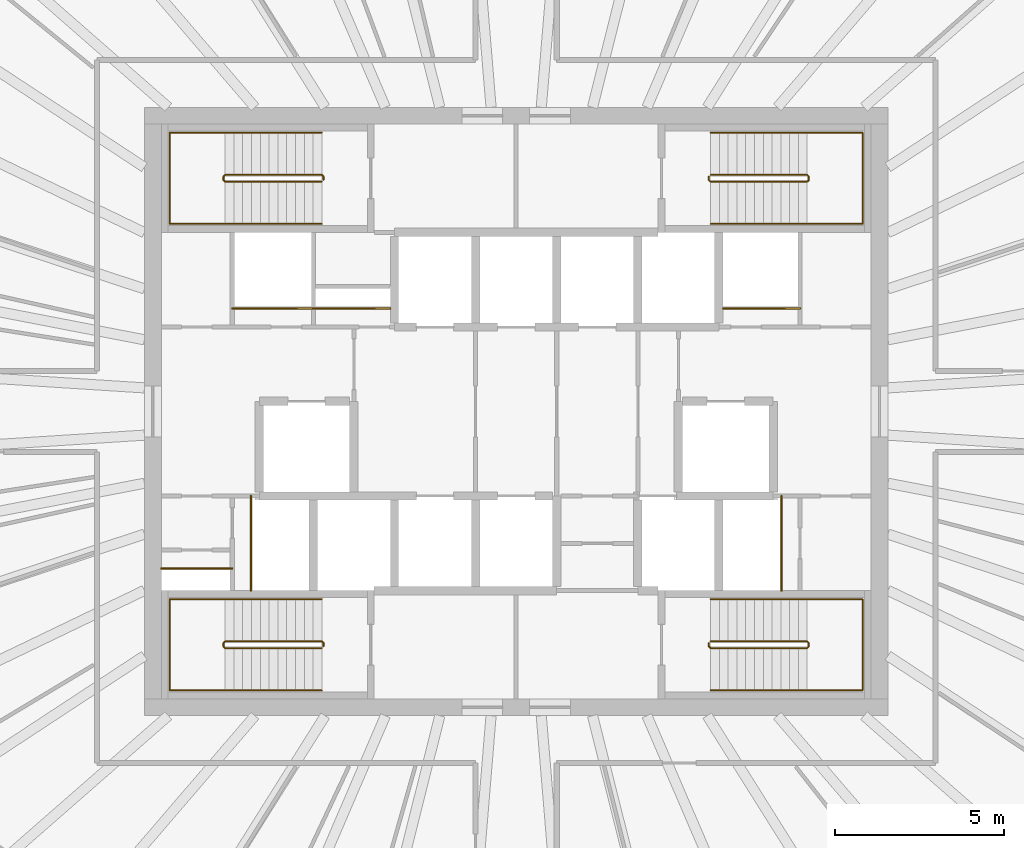
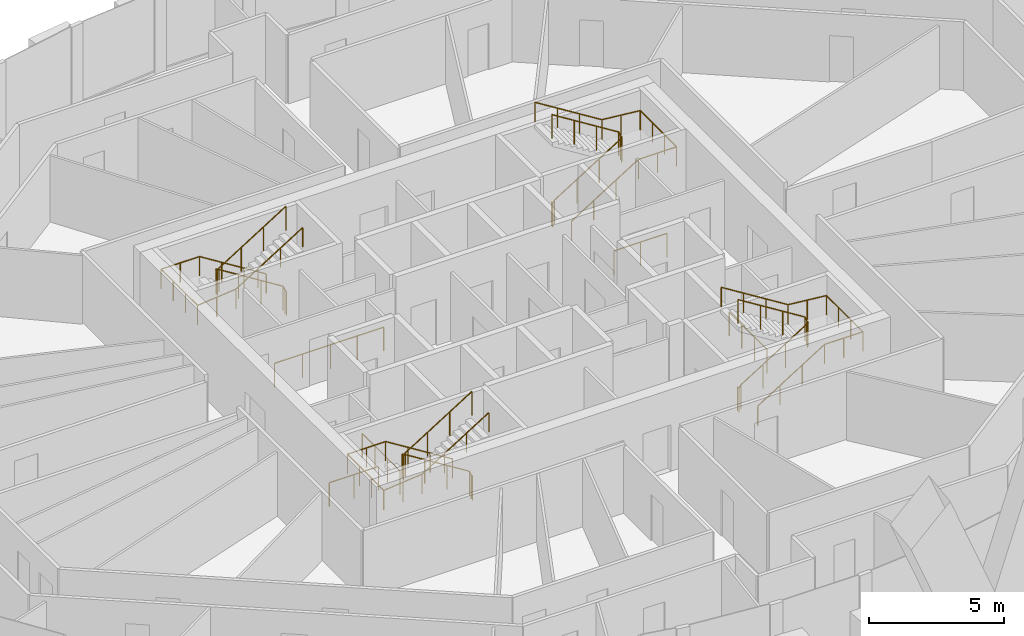
# One storey, part 14 of 14: 14 railings.
"""IFC4 building model written with IfcOpenShell, lengths in metres."""

from ifc_helpers import new_model, si_unit, direction, frame, origin, origin_2d, place, context, subcontext, project, spatial, circle, extrude, source, transform, mapped, material, type_object, element, save


model = new_model("IFC4")

# Units and contexts
model_context = context("Model", 3, precision=1e-05, world=origin(), true_north=direction((0.0, 1.0)))
body_context = subcontext(model_context, "Body", "Model", "MODEL_VIEW")
ifc_project = project(units=[si_unit("LENGTHUNIT", "METRE"), si_unit("AREAUNIT", "SQUARE_METRE"), si_unit("VOLUMEUNIT", "CUBIC_METRE"), si_unit("PLANEANGLEUNIT", "RADIAN"), si_unit("MASSUNIT", "GRAM", prefix="KILO")], contexts=[model_context])

# Site, building, storey
site_placement = place(None, origin())
site = spatial("IfcSite", under=ifc_project, at=site_placement, CompositionType="ELEMENT")
building_placement = place(site_placement, origin())
building = spatial("IfcBuilding", under=site, at=building_placement, Name="Embergate Tower", CompositionType="ELEMENT")
storey_placement = place(building_placement, frame((0.0, 0.0, 297.39990234375)))
storey = spatial("IfcBuildingStorey", under=building, at=storey_placement, Name="L69", CompositionType="ELEMENT", Elevation=297.39990234375)

# Railings
ifc_material_1 = material(Name="Stair guard 1100")
railing_type_1 = type_object("IfcRailingType", Name="Stair guard 1100", PredefinedType="GUARDRAIL", material=ifc_material_1)
shared_shape_1 = source(origin(), body_context, "Body", "SweptSolid", [
    extrude(circle(Radius=0.02392578125, at=origin_2d()), frame((0.0, 0.0, 1.076171875), z_axis=(0.0, 1.0, 0.0), x_axis=(-1.0, 0.0, 0.0)), (0.0, 0.0, 1.0), 0.099853515625),
    extrude(circle(Radius=0.02392578125, at=origin_2d()), frame((0.0, 0.099853515625, 1.076171875), z_axis=(-0.282227285176, 0.282227285176, 0.916894497205), x_axis=(-0.707106781187, -0.707106781187, 0.0)), (0.0, 0.0, 1.0), 0.17724609375),
    extrude(circle(Radius=0.02392578125, at=origin_2d()), frame((-0.050048828125, 0.14990234375, 1.23876953125), z_axis=(-0.847994237388, 0.0, 0.530005446535), x_axis=(0.0, -1.0, 0.0)), (0.0, 0.0, 1.0), 3.372802734375),
    extrude(circle(Radius=0.02392578125, at=origin_2d()), frame((-2.91015625, 0.14990234375, 3.0263671875), z_axis=(-0.705375805398, -0.708833529934, 0.0), x_axis=(0.708833529934, -0.705375805398, 0.0)), (0.0, 0.0, 1.0), 0.070556640625),
    extrude(circle(Radius=0.02392578125, at=origin_2d()), frame((-2.9599609375, 0.099853515625, 3.0263671875), z_axis=(0.0, -1.0, 0.0), x_axis=(1.0, 0.0, 0.0)), (0.0, 0.0, 1.0), 0.099853515625),
    extrude(circle(Radius=0.02392578125, at=origin_2d()), frame((-2.9599609375, 0.0, 3.0263671875), z_axis=(0.281314826061, -0.282693820306, 0.917031173188), x_axis=(0.708833529934, 0.705375805398, 0.0)), (0.0, 0.0, 1.0), 0.177001953125),
    extrude(circle(Radius=0.02392578125, at=origin_2d()), frame((-2.91015625, -0.050048828125, 3.1884765625), z_axis=(0.847994237388, 0.0, 0.530005446535), x_axis=(0.0, 1.0, 0.0)), (0.0, 0.0, 1.0), 3.372802734375),
    extrude(circle(Radius=0.02099609375, at=origin_2d()), origin(), (0.0, 0.0, 1.0), 1.052001953125),
    extrude(circle(Radius=0.02099609375, at=origin_2d()), frame((0.0, 0.099853515625, 0.0)), (0.0, 0.0, 1.0), 1.052001953125),
    extrude(circle(Radius=0.02099609375, at=origin_2d()), frame((-0.050048828125, 0.14990234375, 0.16259765625)), (0.0, 0.0, 1.0), 1.052001953125),
    extrude(circle(Radius=0.02099609375, at=origin_2d()), frame((-1.00341796875, 0.14990234375, 0.758544921875)), (0.0, 0.0, 1.0), 1.052001953125),
    extrude(circle(Radius=0.02099609375, at=origin_2d()), frame((-1.956787109375, 0.14990234375, 1.354248046875)), (0.0, 0.0, 1.0), 1.052001953125),
    extrude(circle(Radius=0.02099609375, at=origin_2d()), frame((-2.91015625, 0.14990234375, 1.9501953125)), (0.0, 0.0, 1.0), 1.052001953125),
    extrude(circle(Radius=0.02099609375, at=origin_2d()), frame((-2.9599609375, 0.099853515625, 1.9501953125)), (0.0, 0.0, 1.0), 1.052001953125),
    extrude(circle(Radius=0.02099609375, at=origin_2d()), frame((-2.9599609375, 0.0, 1.9501953125)), (0.0, 0.0, 1.0), 1.052001953125),
    extrude(circle(Radius=0.02099609375, at=origin_2d()), frame((-2.91015625, -0.050048828125, 2.112548828125)), (0.0, 0.0, 1.0), 1.052001953125),
    extrude(circle(Radius=0.02099609375, at=origin_2d()), frame((-1.956787109375, -0.050048828125, 2.70849609375)), (0.0, 0.0, 1.0), 1.052001953125),
    extrude(circle(Radius=0.02099609375, at=origin_2d()), frame((-1.00341796875, -0.050048828125, 3.30419921875)), (0.0, 0.0, 1.0), 1.052001953125),
    extrude(circle(Radius=0.02099609375, at=origin_2d()), frame((-0.050048828125, -0.050048828125, 3.900146484375)), (0.0, 0.0, 1.0), 1.052001953125),
])
for number, where, name in (
    (1, (-5.699951171875, 6.85009765625, 0.0), "L69 ST1 stair guard 1"),
    (2, (-5.699951171875, -6.949951171875, 0.0), "L69 ST3 stair guard 1"),
):
    element("IfcRailing", number, at=place(storey_placement, frame(where)), inside=storey, type_object=railing_type_1, Name=name, PredefinedType="GUARDRAIL", context=body_context, shape_type="MappedRepresentation", body=[
        mapped(shared_shape_1, transform((0.0, 0.0, 0.0))),
    ])
ifc_material_2 = material(Name="Stair handrail 900")
railing_type_2 = type_object("IfcRailingType", Name="Stair handrail 900", PredefinedType="HANDRAIL", material=ifc_material_2)
shared_shape_2 = source(origin(), body_context, "Body", "SweptSolid", [
    extrude(circle(Radius=0.02392578125, at=origin_2d()), frame((0.0, 0.0, 0.8759765625), z_axis=(-0.847994237388, 0.0, 0.530005446535), x_axis=(0.0, -1.0, 0.0)), (0.0, 0.0, 1.0), 3.372802734375),
    extrude(circle(Radius=0.02392578125, at=origin_2d()), frame((-2.860107421875, 0.0, 2.66357421875), z_axis=(-1.0, 0.0, 0.0), x_axis=(0.0, -1.0, 0.0)), (0.0, 0.0, 1.0), 1.639892578125),
    extrude(circle(Radius=0.02392578125, at=origin_2d()), frame((-4.5, 0.0, 2.66357421875), z_axis=(0.0, -1.0, 0.0), x_axis=(1.0, 0.0, 0.0)), (0.0, 0.0, 1.0), 2.699951171875),
    extrude(circle(Radius=0.02392578125, at=origin_2d()), frame((-4.5, -2.699951171875, 2.66357421875), z_axis=(0.995134983717, 0.0, 0.098520881967), x_axis=(0.0, 1.0, 0.0)), (0.0, 0.0, 1.0), 1.64794921875),
    extrude(circle(Radius=0.02392578125, at=origin_2d()), frame((-2.860107421875, -2.699951171875, 2.82568359375), z_axis=(0.847994237388, 0.0, 0.530005446535), x_axis=(0.0, 1.0, 0.0)), (0.0, 0.0, 1.0), 3.372802734375),
    extrude(circle(Radius=0.02099609375, at=origin_2d()), origin(), (0.0, 0.0, 1.0), 0.851806640625),
    extrude(circle(Radius=0.02099609375, at=origin_2d()), frame((-0.953369140625, 0.0, 0.595947265625)), (0.0, 0.0, 1.0), 0.851806640625),
    extrude(circle(Radius=0.02099609375, at=origin_2d()), frame((-1.90673828125, 0.0, 1.191650390625)), (0.0, 0.0, 1.0), 0.851806640625),
    extrude(circle(Radius=0.02099609375, at=origin_2d()), frame((-2.860107421875, 0.0, 1.78759765625)), (0.0, 0.0, 1.0), 0.851806640625),
    extrude(circle(Radius=0.02099609375, at=origin_2d()), frame((-3.68017578125, 0.0, 1.78759765625)), (0.0, 0.0, 1.0), 0.851806640625),
    extrude(circle(Radius=0.02099609375, at=origin_2d()), frame((-4.5, 0.0, 1.78759765625)), (0.0, 0.0, 1.0), 0.851806640625),
    extrude(circle(Radius=0.02099609375, at=origin_2d()), frame((-4.5, -0.89990234375, 1.78759765625)), (0.0, 0.0, 1.0), 0.851806640625),
    extrude(circle(Radius=0.02099609375, at=origin_2d()), frame((-4.5, -1.800048828125, 1.78759765625)), (0.0, 0.0, 1.0), 0.851806640625),
    extrude(circle(Radius=0.02099609375, at=origin_2d()), frame((-4.5, -2.699951171875, 1.78759765625)), (0.0, 0.0, 1.0), 0.851806640625),
    extrude(circle(Radius=0.02099609375, at=origin_2d()), frame((-3.68017578125, -2.699951171875, 1.86865234375)), (0.0, 0.0, 1.0), 0.851806640625),
    extrude(circle(Radius=0.02099609375, at=origin_2d()), frame((-2.860107421875, -2.699951171875, 1.949951171875)), (0.0, 0.0, 1.0), 0.851806640625),
    extrude(circle(Radius=0.02099609375, at=origin_2d()), frame((-1.90673828125, -2.699951171875, 2.5458984375)), (0.0, 0.0, 1.0), 0.851806640625),
    extrude(circle(Radius=0.02099609375, at=origin_2d()), frame((-0.953369140625, -2.699951171875, 3.1416015625)), (0.0, 0.0, 1.0), 0.851806640625),
    extrude(circle(Radius=0.02099609375, at=origin_2d()), frame((0.0, -2.699951171875, 3.737548828125)), (0.0, 0.0, 1.0), 0.851806640625),
])
for number, where, name in (
    (3, (-5.75, 8.25, 0.16259765625), "L69 ST1 stair handrail 1"),
    (4, (-5.75, -5.550048828125, 0.16259765625), "L69 ST3 stair handrail 1"),
):
    element("IfcRailing", number, at=place(storey_placement, frame(where)), inside=storey, type_object=railing_type_2, Name=name, PredefinedType="HANDRAIL", context=body_context, shape_type="MappedRepresentation", body=[
        mapped(shared_shape_2, transform((0.0, 0.0, 0.0))),
    ])
shared_shape_3 = source(origin(), body_context, "Body", "SweptSolid", [
    extrude(circle(Radius=0.02392578125, at=origin_2d()), frame((0.0, 0.0, 1.076171875), z_axis=(0.0, -1.0, 0.0), x_axis=(1.0, 0.0, 0.0)), (0.0, 0.0, 1.0), 0.099853515625),
    extrude(circle(Radius=0.02392578125, at=origin_2d()), frame((0.0, -0.099853515625, 1.076171875), z_axis=(0.282227285176, -0.282227285176, 0.916894497205), x_axis=(0.707106781187, 0.707106781187, 0.0)), (0.0, 0.0, 1.0), 0.17724609375),
    extrude(circle(Radius=0.02392578125, at=origin_2d()), frame((0.050048828125, -0.14990234375, 1.23876953125), z_axis=(0.847994237388, 0.0, 0.530005446535), x_axis=(0.0, 1.0, 0.0)), (0.0, 0.0, 1.0), 3.372802734375),
    extrude(circle(Radius=0.02392578125, at=origin_2d()), frame((2.91015625, -0.14990234375, 3.0263671875), z_axis=(0.705375805398, 0.708833529934, 0.0), x_axis=(-0.708833529934, 0.705375805398, 0.0)), (0.0, 0.0, 1.0), 0.070556640625),
    extrude(circle(Radius=0.02392578125, at=origin_2d()), frame((2.9599609375, -0.099853515625, 3.0263671875), z_axis=(0.0, 1.0, 0.0), x_axis=(-1.0, 0.0, 0.0)), (0.0, 0.0, 1.0), 0.099853515625),
    extrude(circle(Radius=0.02392578125, at=origin_2d()), frame((2.9599609375, 0.0, 3.0263671875), z_axis=(-0.281314826061, 0.282693820306, 0.917031173188), x_axis=(-0.708833529934, -0.705375805398, 0.0)), (0.0, 0.0, 1.0), 0.177001953125),
    extrude(circle(Radius=0.02392578125, at=origin_2d()), frame((2.91015625, 0.050048828125, 3.1884765625), z_axis=(-0.847994237388, 0.0, 0.530005446535), x_axis=(0.0, -1.0, 0.0)), (0.0, 0.0, 1.0), 3.372802734375),
    extrude(circle(Radius=0.02099609375, at=origin_2d()), origin(), (0.0, 0.0, 1.0), 1.052001953125),
    extrude(circle(Radius=0.02099609375, at=origin_2d()), frame((0.0, -0.099853515625, 0.0)), (0.0, 0.0, 1.0), 1.052001953125),
    extrude(circle(Radius=0.02099609375, at=origin_2d()), frame((0.050048828125, -0.14990234375, 0.16259765625)), (0.0, 0.0, 1.0), 1.052001953125),
    extrude(circle(Radius=0.02099609375, at=origin_2d()), frame((1.00341796875, -0.14990234375, 0.758544921875)), (0.0, 0.0, 1.0), 1.052001953125),
    extrude(circle(Radius=0.02099609375, at=origin_2d()), frame((1.956787109375, -0.14990234375, 1.354248046875)), (0.0, 0.0, 1.0), 1.052001953125),
    extrude(circle(Radius=0.02099609375, at=origin_2d()), frame((2.91015625, -0.14990234375, 1.9501953125)), (0.0, 0.0, 1.0), 1.052001953125),
    extrude(circle(Radius=0.02099609375, at=origin_2d()), frame((2.9599609375, -0.099853515625, 1.9501953125)), (0.0, 0.0, 1.0), 1.052001953125),
    extrude(circle(Radius=0.02099609375, at=origin_2d()), frame((2.9599609375, 0.0, 1.9501953125)), (0.0, 0.0, 1.0), 1.052001953125),
    extrude(circle(Radius=0.02099609375, at=origin_2d()), frame((2.91015625, 0.050048828125, 2.112548828125)), (0.0, 0.0, 1.0), 1.052001953125),
    extrude(circle(Radius=0.02099609375, at=origin_2d()), frame((1.956787109375, 0.050048828125, 2.70849609375)), (0.0, 0.0, 1.0), 1.052001953125),
    extrude(circle(Radius=0.02099609375, at=origin_2d()), frame((1.00341796875, 0.050048828125, 3.30419921875)), (0.0, 0.0, 1.0), 1.052001953125),
    extrude(circle(Radius=0.02099609375, at=origin_2d()), frame((0.050048828125, 0.050048828125, 3.900146484375)), (0.0, 0.0, 1.0), 1.052001953125),
])
for number, where, name in (
    (5, (5.699951171875, 6.949951171875, 0.0), "L69 ST2 stair guard 1"),
    (6, (5.699951171875, -6.85009765625, 0.0), "L69 ST4 stair guard 1"),
):
    element("IfcRailing", number, at=place(storey_placement, frame(where)), inside=storey, type_object=railing_type_1, Name=name, PredefinedType="GUARDRAIL", context=body_context, shape_type="MappedRepresentation", body=[
        mapped(shared_shape_3, transform((0.0, 0.0, 0.0))),
    ])
shared_shape_4 = source(origin(), body_context, "Body", "SweptSolid", [
    extrude(circle(Radius=0.02392578125, at=origin_2d()), frame((0.0, 0.0, 0.8759765625), z_axis=(0.847994237388, 0.0, 0.530005446535), x_axis=(0.0, 1.0, 0.0)), (0.0, 0.0, 1.0), 3.372802734375),
    extrude(circle(Radius=0.02392578125, at=origin_2d()), frame((2.860107421875, 0.0, 2.66357421875), z_axis=(1.0, 0.0, 0.0), x_axis=(0.0, 1.0, 0.0)), (0.0, 0.0, 1.0), 1.639892578125),
    extrude(circle(Radius=0.02392578125, at=origin_2d()), frame((4.5, 0.0, 2.66357421875), z_axis=(0.0, 1.0, 0.0), x_axis=(-1.0, 0.0, 0.0)), (0.0, 0.0, 1.0), 2.699951171875),
    extrude(circle(Radius=0.02392578125, at=origin_2d()), frame((4.5, 2.699951171875, 2.66357421875), z_axis=(-0.995134983717, 0.0, 0.098520881967), x_axis=(0.0, -1.0, 0.0)), (0.0, 0.0, 1.0), 1.64794921875),
    extrude(circle(Radius=0.02392578125, at=origin_2d()), frame((2.860107421875, 2.699951171875, 2.82568359375), z_axis=(-0.847994237388, 0.0, 0.530005446535), x_axis=(0.0, -1.0, 0.0)), (0.0, 0.0, 1.0), 3.372802734375),
    extrude(circle(Radius=0.02099609375, at=origin_2d()), origin(), (0.0, 0.0, 1.0), 0.851806640625),
    extrude(circle(Radius=0.02099609375, at=origin_2d()), frame((0.953369140625, 0.0, 0.595947265625)), (0.0, 0.0, 1.0), 0.851806640625),
    extrude(circle(Radius=0.02099609375, at=origin_2d()), frame((1.90673828125, 0.0, 1.191650390625)), (0.0, 0.0, 1.0), 0.851806640625),
    extrude(circle(Radius=0.02099609375, at=origin_2d()), frame((2.860107421875, 0.0, 1.78759765625)), (0.0, 0.0, 1.0), 0.851806640625),
    extrude(circle(Radius=0.02099609375, at=origin_2d()), frame((3.68017578125, 0.0, 1.78759765625)), (0.0, 0.0, 1.0), 0.851806640625),
    extrude(circle(Radius=0.02099609375, at=origin_2d()), frame((4.5, 0.0, 1.78759765625)), (0.0, 0.0, 1.0), 0.851806640625),
    extrude(circle(Radius=0.02099609375, at=origin_2d()), frame((4.5, 0.89990234375, 1.78759765625)), (0.0, 0.0, 1.0), 0.851806640625),
    extrude(circle(Radius=0.02099609375, at=origin_2d()), frame((4.5, 1.800048828125, 1.78759765625)), (0.0, 0.0, 1.0), 0.851806640625),
    extrude(circle(Radius=0.02099609375, at=origin_2d()), frame((4.5, 2.699951171875, 1.78759765625)), (0.0, 0.0, 1.0), 0.851806640625),
    extrude(circle(Radius=0.02099609375, at=origin_2d()), frame((3.68017578125, 2.699951171875, 1.86865234375)), (0.0, 0.0, 1.0), 0.851806640625),
    extrude(circle(Radius=0.02099609375, at=origin_2d()), frame((2.860107421875, 2.699951171875, 1.949951171875)), (0.0, 0.0, 1.0), 0.851806640625),
    extrude(circle(Radius=0.02099609375, at=origin_2d()), frame((1.90673828125, 2.699951171875, 2.5458984375)), (0.0, 0.0, 1.0), 0.851806640625),
    extrude(circle(Radius=0.02099609375, at=origin_2d()), frame((0.953369140625, 2.699951171875, 3.1416015625)), (0.0, 0.0, 1.0), 0.851806640625),
    extrude(circle(Radius=0.02099609375, at=origin_2d()), frame((0.0, 2.699951171875, 3.737548828125)), (0.0, 0.0, 1.0), 0.851806640625),
])
for number, where, name in (
    (7, (5.75, 5.550048828125, 0.16259765625), "L69 ST2 stair handrail 1"),
    (8, (5.75, -8.25, 0.16259765625), "L69 ST4 stair handrail 1"),
):
    element("IfcRailing", number, at=place(storey_placement, frame(where)), inside=storey, type_object=railing_type_2, Name=name, PredefinedType="HANDRAIL", context=body_context, shape_type="MappedRepresentation", body=[
        mapped(shared_shape_4, transform((0.0, 0.0, 0.0))),
    ])
ifc_material_3 = material(Name="Opening guard 1100")
railing_type_3 = type_object("IfcRailingType", Name="Opening guard 1100", PredefinedType="GUARDRAIL", material=ifc_material_3)
shared_shape_5 = source(origin(), body_context, "Body", "SweptSolid", [
    extrude(circle(Radius=0.02392578125, at=origin_2d()), frame((0.0, 0.0, 1.076171875), z_axis=(1.0, 0.0, 0.0), x_axis=(0.0, 1.0, 0.0)), (0.0, 0.0, 1.0), 2.27490234375),
    extrude(circle(Radius=0.02099609375, at=origin_2d()), origin(), (0.0, 0.0, 1.0), 1.052001953125),
    extrude(circle(Radius=0.02099609375, at=origin_2d()), frame((1.137451171875, 0.0, 0.0)), (0.0, 0.0, 1.0), 1.052001953125),
    extrude(circle(Radius=0.02099609375, at=origin_2d()), frame((2.27490234375, 0.0, 0.0)), (0.0, 0.0, 1.0), 1.052001953125),
])
for number, where, name in (
    (9, (6.125, 3.050048828125, 0.0), "Riser opening guard"),
    (10, (-6.0, 3.050048828125, 0.0), "Riser opening guard"),
):
    element("IfcRailing", number, at=place(storey_placement, frame(where)), inside=storey, type_object=railing_type_3, Name=name, PredefinedType="GUARDRAIL", context=body_context, shape_type="MappedRepresentation", body=[
        mapped(shared_shape_5, transform((0.0, 0.0, 0.0))),
    ])
shared_shape_6 = source(origin(), body_context, "Body", "SweptSolid", [
    extrude(circle(Radius=0.02392578125, at=origin_2d()), frame((0.0, 0.0, 1.076171875), z_axis=(0.0, 1.0, 0.0), x_axis=(-1.0, 0.0, 0.0)), (0.0, 0.0, 1.0), 2.800048828125),
    extrude(circle(Radius=0.02099609375, at=origin_2d()), origin(), (0.0, 0.0, 1.0), 1.052001953125),
    extrude(circle(Radius=0.02099609375, at=origin_2d()), frame((0.0, 0.933349609375, 0.0)), (0.0, 0.0, 1.0), 1.052001953125),
    extrude(circle(Radius=0.02099609375, at=origin_2d()), frame((0.0, 1.86669921875, 0.0)), (0.0, 0.0, 1.0), 1.052001953125),
    extrude(circle(Radius=0.02099609375, at=origin_2d()), frame((0.0, 2.800048828125, 0.0)), (0.0, 0.0, 1.0), 1.052001953125),
])
for number, where, name in (
    (11, (-7.85009765625, -5.300048828125, 0.0), "Riser opening guard"),
    (12, (7.85009765625, -5.300048828125, 0.0), "Riser opening guard"),
):
    element("IfcRailing", number, at=place(storey_placement, frame(where)), inside=storey, type_object=railing_type_3, Name=name, PredefinedType="GUARDRAIL", context=body_context, shape_type="MappedRepresentation", body=[
        mapped(shared_shape_6, transform((0.0, 0.0, 0.0))),
    ])
shared_shape_7 = source(origin(), body_context, "Body", "SweptSolid", [
    extrude(circle(Radius=0.02392578125, at=origin_2d()), frame((0.0, 0.0, 1.076171875), z_axis=(1.0, 0.0, 0.0), x_axis=(0.0, 1.0, 0.0)), (0.0, 0.0, 1.0), 2.39990234375),
    extrude(circle(Radius=0.02099609375, at=origin_2d()), origin(), (0.0, 0.0, 1.0), 1.052001953125),
    extrude(circle(Radius=0.02099609375, at=origin_2d()), frame((1.199951171875, 0.0, 0.0)), (0.0, 0.0, 1.0), 1.052001953125),
    extrude(circle(Radius=0.02099609375, at=origin_2d()), frame((2.39990234375, 0.0, 0.0)), (0.0, 0.0, 1.0), 1.052001953125),
])
railing_1_placement = place(storey_placement, frame((-8.39990234375, 3.050048828125, 0.0)))
element("IfcRailing", 13, at=railing_1_placement, inside=storey, type_object=railing_type_3, Name="Riser opening guard", PredefinedType="GUARDRAIL", context=body_context, shape_type="MappedRepresentation", body=[
    mapped(shared_shape_7, transform((0.0, 0.0, 0.0))),
])
shared_shape_8 = source(origin(), body_context, "Body", "SweptSolid", [
    extrude(circle(Radius=0.02392578125, at=origin_2d()), frame((0.0, 0.0, 1.076171875), z_axis=(1.0, 0.0, 0.0), x_axis=(0.0, 1.0, 0.0)), (0.0, 0.0, 1.0), 2.10009765625),
    extrude(circle(Radius=0.02099609375, at=origin_2d()), origin(), (0.0, 0.0, 1.0), 1.052001953125),
    extrude(circle(Radius=0.02099609375, at=origin_2d()), frame((1.050048828125, 0.0, 0.0)), (0.0, 0.0, 1.0), 1.052001953125),
    extrude(circle(Radius=0.02099609375, at=origin_2d()), frame((2.10009765625, 0.0, 0.0)), (0.0, 0.0, 1.0), 1.052001953125),
])
railing_2_placement = place(storey_placement, frame((-10.5, -4.64599609375, 0.0)))
element("IfcRailing", 14, at=railing_2_placement, inside=storey, type_object=railing_type_3, Name="Riser opening guard", PredefinedType="GUARDRAIL", context=body_context, shape_type="MappedRepresentation", body=[
    mapped(shared_shape_8, transform((0.0, 0.0, 0.0))),
])

save(model, "model.ifc")
